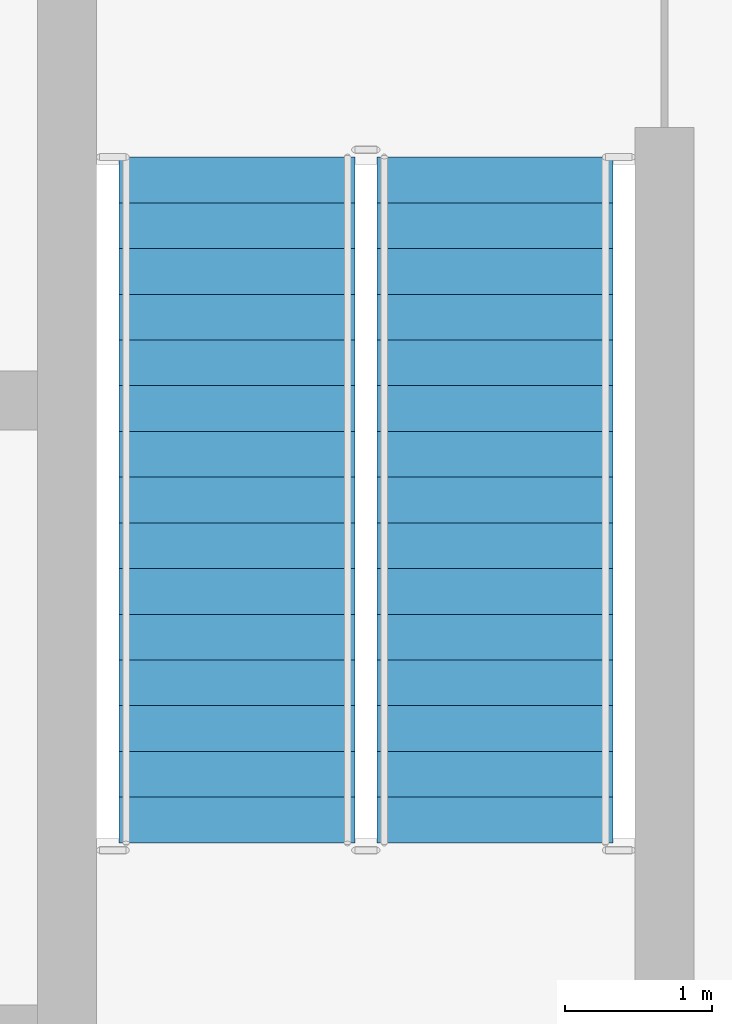
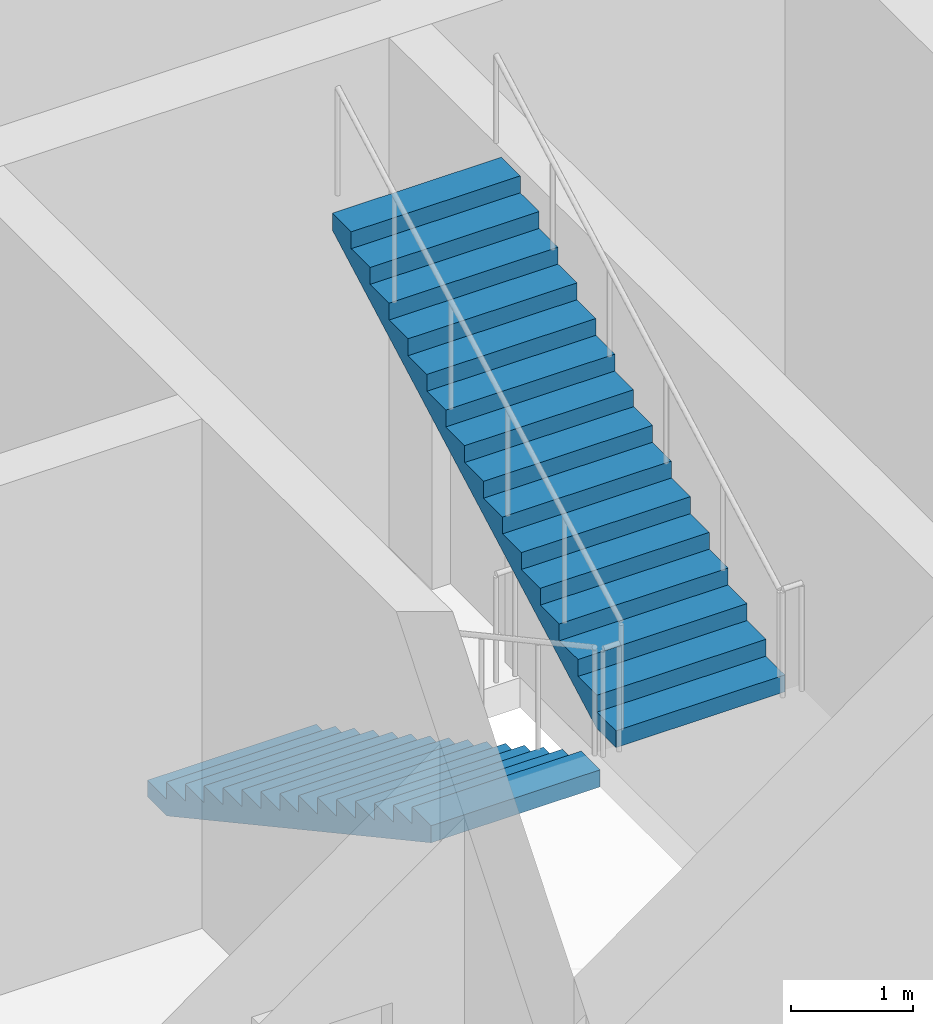
# One storey, part 12 of 15: 2 stair flights, 1 element without a shape of its own.
"""IFC4 building model written with IfcOpenShell, lengths in metres."""

from ifc_helpers import new_model, si_unit, direction, frame, origin, place, context, subcontext, project, spatial, polyline, outline, extrude, material, type_object, element, aggregate, save


model = new_model("IFC4")

# Units and contexts
model_context = context("Model", 3, precision=1e-05, world=origin(), true_north=direction((0.0, 1.0)))
body_context = subcontext(model_context, "Body", "Model", "MODEL_VIEW")
ifc_project = project(units=[si_unit("LENGTHUNIT", "METRE"), si_unit("AREAUNIT", "SQUARE_METRE"), si_unit("VOLUMEUNIT", "CUBIC_METRE"), si_unit("PLANEANGLEUNIT", "RADIAN"), si_unit("MASSUNIT", "GRAM", prefix="KILO")], contexts=[model_context])

# Site, building, storey
site_placement = place(None, origin())
site = spatial("IfcSite", under=ifc_project, at=site_placement, CompositionType="ELEMENT")
building_placement = place(site_placement, origin())
building = spatial("IfcBuilding", under=site, at=building_placement, Name="Madar Terraces", CompositionType="ELEMENT")
storey_placement = place(building_placement, frame((0.0, 0.0, 286.10009765625)))
storey = spatial("IfcBuildingStorey", under=building, at=storey_placement, Name="L75", CompositionType="ELEMENT", Elevation=286.10009765625)

# Stair, stair flights
ifc_material_1 = material(Name="Concrete C50/60", Category="concrete")
stair_type = type_object("IfcStairType", Name="Stair ST2 protected exit", PredefinedType="HALF_TURN_STAIR", material=ifc_material_1)
stair_placement = place(storey_placement, origin())
stair = element("IfcStair", 1, at=stair_placement, inside=storey, type_object=stair_type, Name="L75 Protected Exit Stair ST2", PredefinedType="HALF_TURN_STAIR")
ifc_material_2 = material(Name="Concrete C50/60", Category="concrete")
stair_flight_type = type_object("IfcStairFlightType", Name="Stair flight ST2-F3, 1600 wide, 16 risers", PredefinedType="STRAIGHT", material=ifc_material_2)
stair_flight_1_placement = place(storey_placement, frame((40.449951171875, 35.199951171875, 0.0), z_axis=(0.0, 0.0, 1.0), x_axis=(0.0, -1.0, 0.0)))
stair_flight_1 = element("IfcStairFlight", 2, at=stair_flight_1_placement, type_object=stair_flight_type, Name="ST2 flight 1", NumberOfRisers=16, NumberOfTreads=15, PredefinedType="STRAIGHT", RiserHeight=0.16875, TreadLength=0.31, context=body_context, shape_type="SweptSolid", body=[
    extrude(outline(polyline([(0.0, 0.0), (0.0, 0.168701171875), (0.31005859375, 0.168701171875), (0.31005859375, 0.33740234375), (0.6201171875, 0.33740234375), (0.6201171875, 0.50634765625), (0.929931640625, 0.50634765625), (0.929931640625, 0.675048828125), (1.239990234375, 0.675048828125), (1.239990234375, 0.84375), (1.550048828125, 0.84375), (1.550048828125, 1.012451171875), (1.860107421875, 1.012451171875), (1.860107421875, 1.18115234375), (2.169921875, 1.18115234375), (2.169921875, 1.35009765625), (2.47998046875, 1.35009765625), (2.47998046875, 1.518798828125), (2.7900390625, 1.518798828125), (2.7900390625, 1.6875), (3.10009765625, 1.6875), (3.10009765625, 1.856201171875), (3.409912109375, 1.856201171875), (3.409912109375, 2.02490234375), (3.719970703125, 2.02490234375), (3.719970703125, 2.19384765625), (4.030029296875, 2.19384765625), (4.030029296875, 2.362548828125), (4.340087890625, 2.362548828125), (4.340087890625, 2.53125), (4.64990234375, 2.53125), (4.64990234375, 2.699951171875), (4.64990234375, 2.360595703125), (0.3134765625, 0.0), (0.0, 0.0)])), frame((0.0, 0.800048828125, 0.0), z_axis=(0.0, -1.0, 0.0), x_axis=(1.0, 0.0, 0.0)), (0.0, 0.0, 1.0), 1.60009765625),
])
stair_flight_2_placement = place(storey_placement, frame((42.199951171875, 30.550048828125, 2.699951171875), z_axis=(0.0, 0.0, 1.0), x_axis=(0.0, 1.0, 0.0)))
stair_flight_2 = element("IfcStairFlight", 3, at=stair_flight_2_placement, type_object=stair_flight_type, Name="ST2 flight 2", NumberOfRisers=16, NumberOfTreads=15, PredefinedType="STRAIGHT", RiserHeight=0.16875, TreadLength=0.31, context=body_context, shape_type="SweptSolid", body=[
    extrude(outline(polyline([(0.0, 0.0), (0.0, 0.168701171875), (0.31005859375, 0.168701171875), (0.31005859375, 0.33740234375), (0.6201171875, 0.33740234375), (0.6201171875, 0.50634765625), (0.929931640625, 0.50634765625), (0.929931640625, 0.675048828125), (1.239990234375, 0.675048828125), (1.239990234375, 0.84375), (1.550048828125, 0.84375), (1.550048828125, 1.012451171875), (1.860107421875, 1.012451171875), (1.860107421875, 1.18115234375), (2.169921875, 1.18115234375), (2.169921875, 1.35009765625), (2.47998046875, 1.35009765625), (2.47998046875, 1.518798828125), (2.7900390625, 1.518798828125), (2.7900390625, 1.6875), (3.10009765625, 1.6875), (3.10009765625, 1.856201171875), (3.409912109375, 1.856201171875), (3.409912109375, 2.02490234375), (3.719970703125, 2.02490234375), (3.719970703125, 2.19384765625), (4.030029296875, 2.19384765625), (4.030029296875, 2.362548828125), (4.340087890625, 2.362548828125), (4.340087890625, 2.53125), (4.64990234375, 2.53125), (4.64990234375, 2.699951171875), (4.64990234375, 2.360595703125), (0.3134765625, 0.0), (0.0, 0.0)])), frame((0.0, 0.800048828125, 0.0), z_axis=(0.0, -1.0, 0.0), x_axis=(1.0, 0.0, 0.0)), (0.0, 0.0, 1.0), 1.60009765625),
])
aggregate(stair, [stair_flight_1, stair_flight_2])

save(model, "model.ifc")
